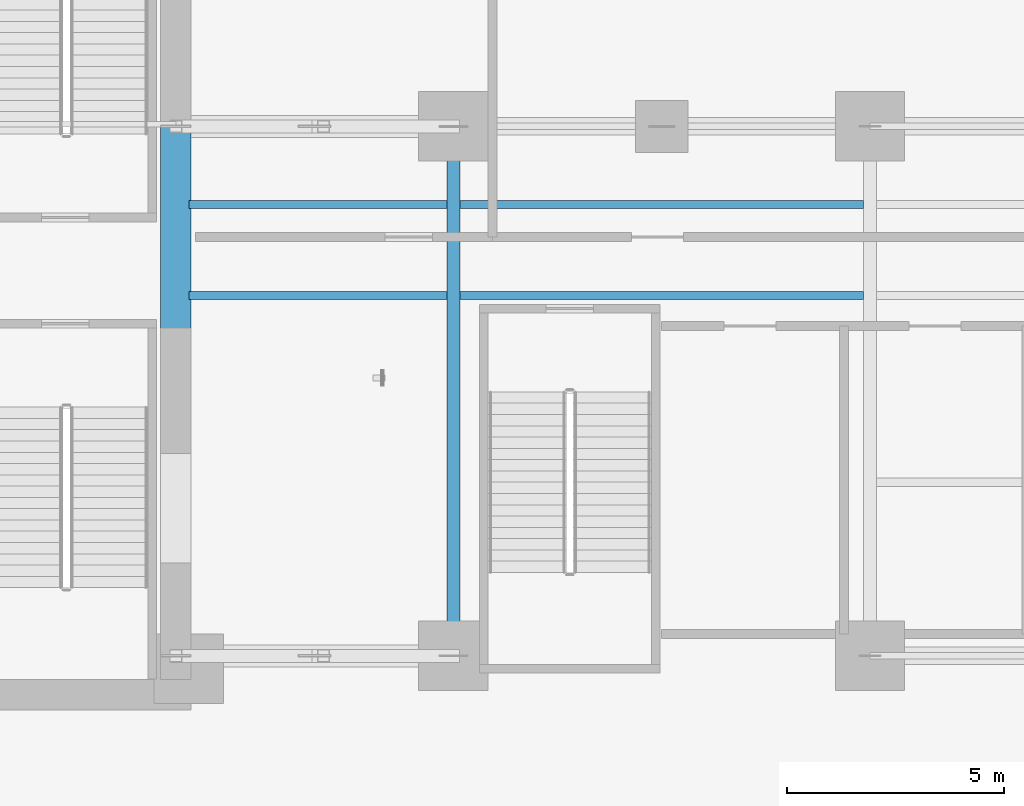
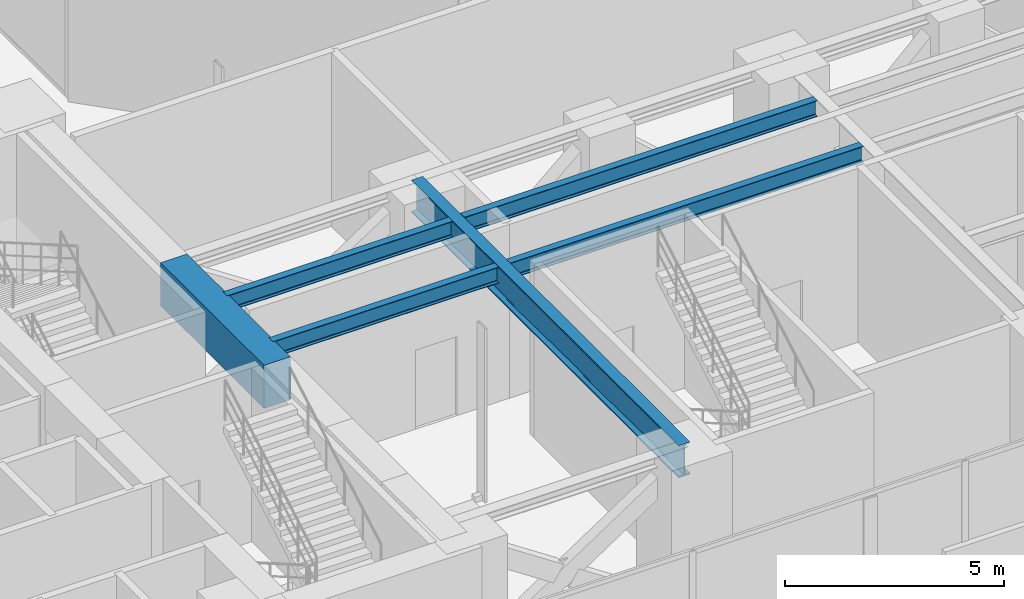
# One storey, part 7 of 36: 6 beams.
"""IFC4 building model written with IfcOpenShell, lengths in metres."""

from ifc_helpers import new_model, si_unit, direction, frame, origin, origin_2d, place, context, subcontext, project, spatial, rectangle, i_section, extrude, material, material_profile, profile_set, type_object, element, save


model = new_model("IFC4")

# Units and contexts
model_context = context("Model", 3, precision=1e-05, world=origin(), true_north=direction((0.0, 1.0)))
body_context = subcontext(model_context, "Body", "Model", "MODEL_VIEW")
ifc_project = project(units=[si_unit("LENGTHUNIT", "METRE"), si_unit("AREAUNIT", "SQUARE_METRE"), si_unit("VOLUMEUNIT", "CUBIC_METRE"), si_unit("PLANEANGLEUNIT", "RADIAN"), si_unit("MASSUNIT", "GRAM", prefix="KILO")], contexts=[model_context])

# Site, building, storey
site_placement = place(None, origin())
site = spatial("IfcSite", under=ifc_project, at=site_placement, CompositionType="ELEMENT")
building_placement = place(site_placement, origin())
building = spatial("IfcBuilding", under=site, at=building_placement, Name="Kolvaren Waterfront Exchange", CompositionType="ELEMENT")
storey_placement = place(building_placement, frame((0.0, 0.0, 82.800048828125)))
storey = spatial("IfcBuildingStorey", under=building, at=storey_placement, Name="L21", CompositionType="ELEMENT", Elevation=82.800048828125)

# Beams
ifc_material_1 = material(Name="Steel S355", Category="steel")
ifc_material_profile_1 = material_profile(ifc_material_1, i_section(OverallWidth=0.300048828125, OverallDepth=0.89990234375, WebThickness=0.0185546875, FlangeThickness=0.034912109375, FilletRadius=0.030029296875, at=origin_2d()), Name="HEB900")
ifc_profile_set_1 = profile_set([ifc_material_profile_1], Name="Steel S355")
beam_type_1 = type_object("IfcBeamType", Name="STR-BM-HEB900", PredefinedType="BEAM", material=ifc_profile_set_1)
beam_1_placement = place(storey_placement, frame((27.199951171875, 5.199951171875, 4.389892578125), z_axis=(0.0, 1.0, 0.0), x_axis=(-1.0, 0.0, 0.0)))
element("IfcBeam", 1, at=beam_1_placement, inside=storey, type_object=beam_type_1, Name="L21 east-arm transverse girder X27", PredefinedType="BEAM", context=body_context, shape_type="SweptSolid", body=[
    extrude(i_section(OverallWidth=0.300048828125, OverallDepth=0.89990234375, WebThickness=0.0185546875, FlangeThickness=0.034912109375, FilletRadius=0.030029296875, at=origin_2d()), origin(), (0.0, 0.0, 1.0), 12.199951171875),
])
ifc_material_profile_2 = material_profile(ifc_material_1, i_section(OverallWidth=0.18994140625, OverallDepth=0.449951171875, WebThickness=0.009521484375, FlangeThickness=0.0146484375, FilletRadius=0.02099609375, at=origin_2d()), Name="IPE450")
ifc_profile_set_2 = profile_set([ifc_material_profile_2], Name="Steel S355")
beam_type_2 = type_object("IfcBeamType", Name="STR-BM-IPE450", PredefinedType="JOIST", material=ifc_profile_set_2)
for number, where, z_axis, x_axis, name in (
    (2, (21.10009765625, 13.5, 4.614990234375), (1.0, 0.0, 0.0), (0.0, 1.0, 0.0), "L21 east-arm composite joist 1A"),
    (3, (21.10009765625, 15.60009765625, 4.614990234375), (1.0, 0.0, 0.0), (0.0, 1.0, 0.0), "L21 east-arm composite joist 1C"),
):
    element("IfcBeam", number, at=place(storey_placement, frame(where, z_axis=z_axis, x_axis=x_axis)), inside=storey, type_object=beam_type_2, Name=name, PredefinedType="JOIST", context=body_context, shape_type="SweptSolid", body=[
        extrude(i_section(OverallWidth=0.18994140625, OverallDepth=0.449951171875, WebThickness=0.009521484375, FlangeThickness=0.0146484375, FilletRadius=0.02099609375, at=origin_2d()), origin(), (0.0, 0.0, 1.0), 5.947998046875),
    ])
for number, where, z_axis, x_axis, name in (
    (4, (27.35205078125, 13.5, 4.614990234375), (1.0, 0.0, 0.0), (0.0, 1.0, 0.0), "L21 east-arm composite joist 2A"),
    (5, (27.35205078125, 15.60009765625, 4.614990234375), (1.0, 0.0, 0.0), (0.0, 1.0, 0.0), "L21 east-arm composite joist 2C"),
):
    element("IfcBeam", number, at=place(storey_placement, frame(where, z_axis=z_axis, x_axis=x_axis)), inside=storey, type_object=beam_type_2, Name=name, PredefinedType="JOIST", context=body_context, shape_type="SweptSolid", body=[
        extrude(i_section(OverallWidth=0.18994140625, OverallDepth=0.449951171875, WebThickness=0.009521484375, FlangeThickness=0.0146484375, FilletRadius=0.02099609375, at=origin_2d()), origin(), (0.0, 0.0, 1.0), 9.2958984375),
    ])
ifc_material_2 = material(Name="Concrete C70/85", Category="concrete")
ifc_material_profile_3 = material_profile(ifc_material_2, rectangle(XDim=0.699951171875, YDim=1.199951171875, at=origin_2d()), Name="RC-CB-1200x700")
ifc_profile_set_3 = profile_set([ifc_material_profile_3], Name="Concrete C70/85")
beam_type_3 = type_object("IfcBeamType", Name="STR-CB-1200", PredefinedType="SPANDREL", material=ifc_profile_set_3)
beam_2_placement = place(storey_placement, frame((20.800048828125, 12.68994140625, 4.239990234375), z_axis=(0.0, 1.0, 0.0), x_axis=(-1.0, 0.0, 0.0)))
element("IfcBeam", 6, at=beam_2_placement, inside=storey, type_object=beam_type_3, Name="L21 core coupling beam 2", PredefinedType="SPANDREL", context=body_context, shape_type="SweptSolid", body=[
    extrude(rectangle(XDim=0.699951171875, YDim=1.199951171875, at=origin_2d()), origin(), (0.0, 0.0, 1.0), 4.719970703125),
])

save(model, "model.ifc")
